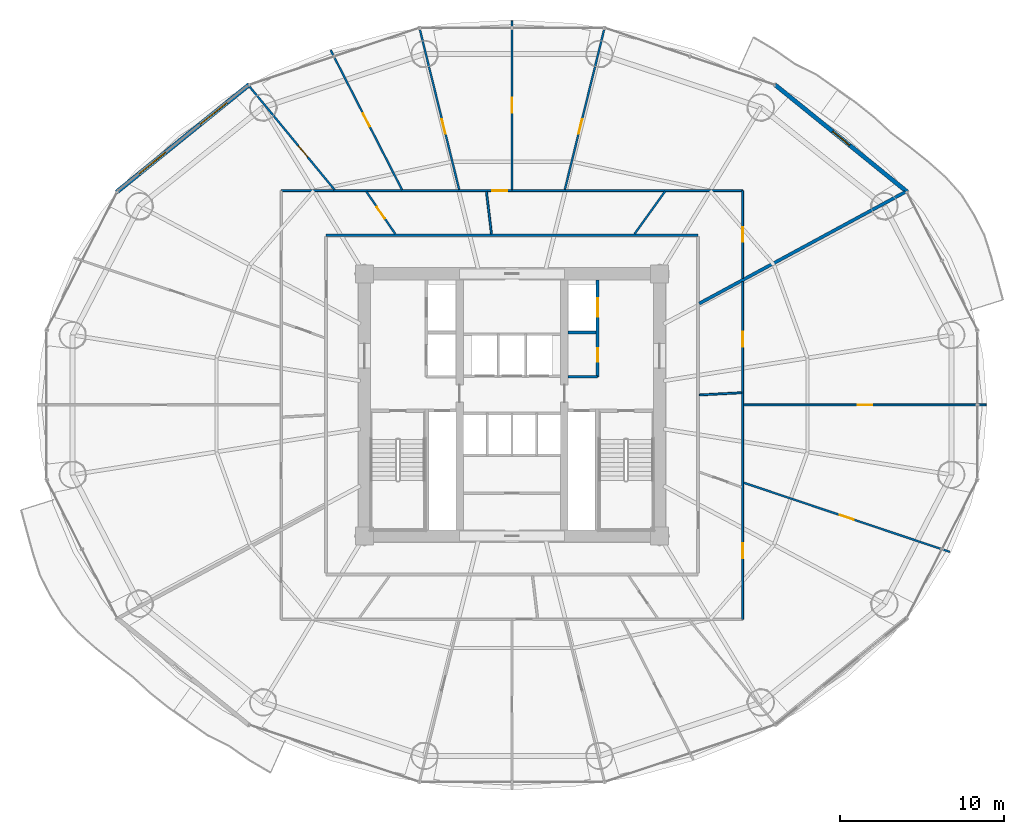
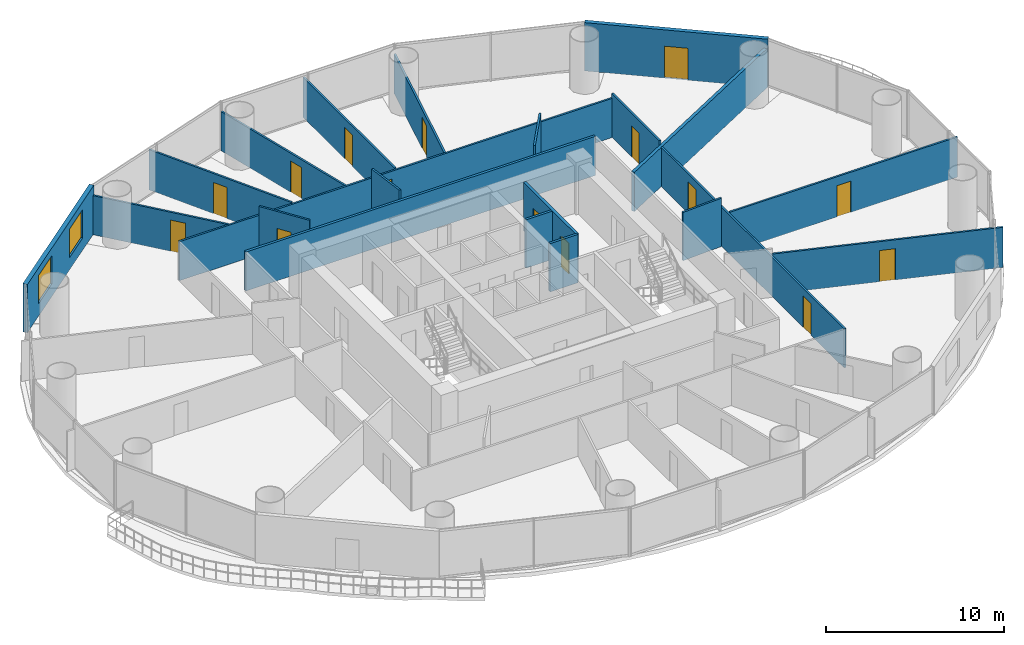
# One storey, part 25 of 30: 21 walls, 15 doors, 2 windows, 17 openings.
"""IFC4 building model written with IfcOpenShell, lengths in metres."""

from ifc_helpers import new_model, si_unit, direction, frame, frame_2d, origin, place, context, subcontext, project, spatial, rectangle, extrude, source, transform, mapped, material, layer, layer_set, type_object, element, fill, save


model = new_model("IFC4")

# Units and contexts
model_context = context("Model", 3, precision=1e-05, world=origin(), true_north=direction((-0.2419218956, 0.970295726276)))
body_context = subcontext(model_context, "Body", "Model", "MODEL_VIEW")
ifc_project = project(units=[si_unit("LENGTHUNIT", "METRE"), si_unit("AREAUNIT", "SQUARE_METRE"), si_unit("VOLUMEUNIT", "CUBIC_METRE"), si_unit("PLANEANGLEUNIT", "RADIAN"), si_unit("MASSUNIT", "GRAM", prefix="KILO")], contexts=[model_context])

# Site, building, storey
site_placement = place(None, origin())
site = spatial("IfcSite", under=ifc_project, at=site_placement, CompositionType="ELEMENT")
building_placement = place(site_placement, origin())
building = spatial("IfcBuilding", under=site, at=building_placement, Name="Cobrevalo Terracotta Tower", CompositionType="ELEMENT")
storey_placement = place(building_placement, frame((0.0, 0.0, 60.0)))
storey = spatial("IfcBuildingStorey", under=building, at=storey_placement, Name="L15", CompositionType="ELEMENT", Elevation=60.0)

# Walls
ifc_material_1 = material(Name="Gypsum board on steel stud", Category="steel")
ifc_layer_1 = layer(ifc_material_1, 0.159912109375)
ifc_layer_set_1 = layer_set([ifc_layer_1], Name="Gypsum board on steel stud")
wall_type_1 = type_object("IfcWallType", Name="Fire-rated corridor acoustic partition wall 160 mm", PredefinedType="PARTITIONING", material=ifc_layer_set_1)
wall_1_placement = place(storey_placement, frame((41.425048828125, 31.219970703125, 0.0), z_axis=(0.0, 0.0, 1.0), x_axis=(1.0, 0.0, 0.0)))
element("IfcWall", 1, at=wall_1_placement, inside=storey, type_object=wall_type_1, Name="L15 interior partition IW-L15-FF2-M", PredefinedType="PARTITIONING", context=body_context, shape_type="SweptSolid", body=[
    extrude(rectangle(XDim=1.71484375, YDim=0.159912109375, at=frame_2d((0.857421875, 0.0))), origin(), (0.0, 0.0, 1.0), 3.320068359375),
])
wall_2_placement = place(storey_placement, frame((41.425048828125, 28.52001953125, 0.0), z_axis=(0.0, 0.0, 1.0), x_axis=(1.0, 0.0, 0.0)))
element("IfcWall", 2, at=wall_2_placement, inside=storey, type_object=wall_type_1, Name="L15 interior partition IW-L15-FF2-S", PredefinedType="PARTITIONING", context=body_context, shape_type="SweptSolid", body=[
    extrude(rectangle(XDim=1.804931640625, YDim=0.159912109375, at=frame_2d((0.90234375, 0.0))), origin(), (0.0, 0.0, 1.0), 3.320068359375),
])
wall_3_placement = place(storey_placement, frame((26.64501953125, 37.155029296875, 0.0), z_axis=(0.0, 0.0, 1.0), x_axis=(1.0, 0.0, 0.0)))
element("IfcWall", 3, at=wall_3_placement, inside=storey, type_object=wall_type_1, Name="L15 interior partition IW-L15-COR-N", PredefinedType="PARTITIONING", context=body_context, shape_type="SweptSolid", body=[
    extrude(rectangle(XDim=22.7099609375, YDim=0.159912109375, at=frame_2d((11.35498046875, 0.0))), origin(), (0.0, 0.0, 1.0), 2.68798828125),
])

# Wall, openings, doors
ifc_layer_2 = layer(ifc_material_1, 0.179931640625)
ifc_layer_set_2 = layer_set([ifc_layer_2], Name="Gypsum board on steel stud")
wall_type_2 = type_object("IfcWallType", Name="Fire-rated shaft & lobby acoustic partition wall 180 mm", PredefinedType="PARTITIONING", material=ifc_layer_set_2)
wall_4_placement = place(storey_placement, frame((43.22998046875, 28.52001953125, 0.0), z_axis=(0.0, 0.0, 1.0), x_axis=(0.0, 1.0, 0.0)))
wall_4 = element("IfcWall", 4, at=wall_4_placement, inside=storey, type_object=wall_type_2, Name="L15 interior partition IW-L15-FF2-E", PredefinedType="PARTITIONING", context=body_context, shape_type="SweptSolid", body=[
    extrude(rectangle(XDim=5.905029296875, YDim=0.179931640625, at=frame_2d((2.95263671875, 0.0))), origin(), (0.0, 0.0, 1.0), 3.320068359375),
])
opening_1_placement = place(wall_4_placement, frame((0.905029296875, 0.0, 0.0)))
opening_1 = element("IfcOpeningElement", 5, at=opening_1_placement, cuts=wall_4, Name="Opening ID-22", PredefinedType="OPENING", context=body_context, shape_type="SweptSolid", body=[
    extrude(rectangle(XDim=0.85009765625, YDim=2.10009765625, at=frame_2d((0.425048828125, 1.050048828125))), frame((0.0, 0.10009765625, 0.0), z_axis=(0.0, -1.0, 0.0), x_axis=(1.0, 0.0, 0.0)), (0.0, 0.0, 1.0), 0.199951171875),
])
opening_2_placement = place(wall_4_placement, frame((3.655029296875, 0.0, 0.0)))
opening_2 = element("IfcOpeningElement", 6, at=opening_2_placement, cuts=wall_4, Name="Opening LD-02", PredefinedType="OPENING", context=body_context, shape_type="SweptSolid", body=[
    extrude(rectangle(XDim=1.14990234375, YDim=2.199951171875, at=frame_2d((0.574951171875, 1.10009765625))), frame((0.0, 0.10009765625, 0.0), z_axis=(0.0, -1.0, 0.0), x_axis=(1.0, 0.0, 0.0)), (0.0, 0.0, 1.0), 0.199951171875),
])
ifc_material_2 = material(Name="Powder-coated steel", Category="steel")
door_type_1 = type_object("IfcDoorType", Name="Riser shaft & meter closet fire access door 850x2100 EI 60", OperationType="NOTDEFINED", PredefinedType="DOOR", material=ifc_material_2)
shared_shape_1 = source(origin(), body_context, "Body", "SweptSolid", [
    extrude(rectangle(XDim=0.85009765625, YDim=2.10009765625, at=frame_2d((0.425048828125, 1.050048828125))), frame((0.0, 0.02490234375, 0.0), z_axis=(0.0, -1.0, 0.0), x_axis=(1.0, 0.0, 0.0)), (0.0, 0.0, 1.0), 0.050048828125),
])
door_1_placement = place(opening_1_placement, frame((0.85009765625, 0.0, 0.0), z_axis=(0.0, 0.0, 1.0), x_axis=(-1.0, 0.0, 0.0)))
door_1 = element("IfcDoor", 7, at=door_1_placement, inside=storey, type_object=door_type_1, Name="L15 housekeeping store door", OperationType="SINGLE_SWING_RIGHT", OverallHeight=2.10009765625, OverallWidth=0.85009765625, PredefinedType="DOOR", context=body_context, shape_type="MappedRepresentation", body=[
    mapped(shared_shape_1, transform((0.0, 0.0, 0.0), scale=1.0)),
])
fill(opening_1, door_1)
ifc_material_3 = material(Name="Brushed stainless steel", Category="steel")
door_type_2 = type_object("IfcDoorType", Name="Firefighting lift landing bi-parting sliding door 1150x2200 EI 120", OperationType="DOUBLE_DOOR_SLIDING", PredefinedType="DOOR", material=ifc_material_3)
shared_shape_2 = source(origin(), body_context, "Body", "SweptSolid", [
    extrude(rectangle(XDim=1.14990234375, YDim=2.199951171875, at=frame_2d((0.574951171875, 1.10009765625))), frame((0.0, 0.02490234375, 0.0), z_axis=(0.0, -1.0, 0.0), x_axis=(1.0, 0.0, 0.0)), (0.0, 0.0, 1.0), 0.050048828125),
])
door_2_placement = place(opening_2_placement, origin())
door_2 = element("IfcDoor", 8, at=door_2_placement, inside=storey, type_object=door_type_2, Name="L15 lift landing door FF-2", OperationType="DOUBLE_DOOR_SLIDING", OverallHeight=2.199951171875, OverallWidth=1.14990234375, PredefinedType="DOOR", context=body_context, shape_type="MappedRepresentation", body=[
    mapped(shared_shape_2, transform((0.0, 0.0, 0.0), scale=1.0)),
])
fill(opening_2, door_2)

# Wall
ifc_material_4 = material(Name="Autoclaved aerated concrete block", Category="concrete")
ifc_layer_3 = layer(ifc_material_4, 0.199951171875)
ifc_layer_set_3 = layer_set([ifc_layer_3], Name="Autoclaved aerated concrete block")
wall_type_3 = type_object("IfcWallType", Name="Fire-rated stair, shaft & demising masonry wall 200 mm", PredefinedType="PARTITIONING", material=ifc_layer_set_3)
wall_5_placement = place(storey_placement, frame((49.43505859375, 32.991455078125, 0.0), z_axis=(0.0, 0.0, 1.0), x_axis=(0.879369737803, 0.476139542819, 0.0)))
element("IfcWall", 9, at=wall_5_placement, inside=storey, type_object=wall_type_3, Name="L15 interior partition IW-L15-DEM-1", PredefinedType="PARTITIONING", context=body_context, shape_type="SweptSolid", body=[
    extrude(rectangle(XDim=14.294921875, YDim=0.199951171875, at=frame_2d((7.1474609375, 0.0))), origin(), (0.0, 0.0, 1.0), 2.68798828125),
])

# Wall, openings, windows
ifc_layer_4 = layer(ifc_material_4, 0.280029296875)
ifc_layer_set_4 = layer_set([ifc_layer_4], Name="Autoclaved aerated concrete block")
wall_type_4 = type_object("IfcWallType", Name="Insulated tower spandrel & pier wall 280 mm with terracotta rainscreen", PredefinedType="SOLIDWALL", material=ifc_layer_set_4)
wall_6_placement = place(storey_placement, frame((21.96728515625, 46.364990234375, 0.0), z_axis=(0.0, 0.0, 1.0), x_axis=(-0.777005352078, -0.62949398952, 0.0)))
wall_6 = element("IfcWall", 10, at=wall_6_placement, inside=storey, type_object=wall_type_4, Name="L15 terracotta rainscreen pier wall S06", PredefinedType="SOLIDWALL", context=body_context, shape_type="SweptSolid", body=[
    extrude(rectangle(XDim=10.44677734375, YDim=0.280029296875, at=frame_2d((5.223388671875, 0.0))), origin(), (0.0, 0.0, 1.0), 3.320068359375),
])
opening_3_placement = place(wall_6_placement, frame((1.7705078125, 0.0, 0.85009765625)))
opening_3 = element("IfcOpeningElement", 11, at=opening_3_placement, cuts=wall_6, Name="Opening WN-10", PredefinedType="OPENING", context=body_context, shape_type="SweptSolid", body=[
    extrude(rectangle(XDim=2.10009765625, YDim=1.949951171875, at=frame_2d((1.050048828125, 0.97509765625))), frame((0.0, 0.14990234375, 0.0), z_axis=(0.0, -1.0, 0.0), x_axis=(1.0, 0.0, 0.0)), (0.0, 0.0, 1.0), 0.300048828125),
])
opening_4_placement = place(wall_6_placement, frame((6.576171875, 0.0, 0.85009765625)))
opening_4 = element("IfcOpeningElement", 12, at=opening_4_placement, cuts=wall_6, Name="Opening WN-10", PredefinedType="OPENING", context=body_context, shape_type="SweptSolid", body=[
    extrude(rectangle(XDim=2.10009765625, YDim=1.949951171875, at=frame_2d((1.050048828125, 0.97509765625))), frame((0.0, 0.14990234375, 0.0), z_axis=(0.0, -1.0, 0.0), x_axis=(1.0, 0.0, 0.0)), (0.0, 0.0, 1.0), 0.300048828125),
])
ifc_material_5 = material(Name="Solar-control low-E double glazing", Category="glass")
window_type = type_object("IfcWindowType", Name="Wide panoramic low-E aluminium window 2100x1950", PartitioningType="SINGLE_PANEL", PredefinedType="WINDOW", material=ifc_material_5)
shared_shape_3 = source(origin(), body_context, "Body", "SweptSolid", [
    extrude(rectangle(XDim=2.10009765625, YDim=1.949951171875, at=frame_2d((1.050048828125, 0.97509765625))), frame((0.0, 0.030029296875, 0.0), z_axis=(0.0, -1.0, 0.0), x_axis=(1.0, 0.0, 0.0)), (0.0, 0.0, 1.0), 0.06005859375),
])
window_1_placement = place(opening_3_placement, origin())
window_1 = element("IfcWindow", 13, at=window_1_placement, inside=storey, type_object=window_type, Name="L15 suite window S06A", OverallHeight=1.949951171875, OverallWidth=2.10009765625, PartitioningType="SINGLE_PANEL", PredefinedType="WINDOW", context=body_context, shape_type="MappedRepresentation", body=[
    mapped(shared_shape_3, transform((0.0, 0.0, 0.0), scale=1.0)),
])
fill(opening_3, window_1)
window_2_placement = place(opening_4_placement, origin())
window_2 = element("IfcWindow", 14, at=window_2_placement, inside=storey, type_object=window_type, Name="L15 suite window S06B", OverallHeight=1.949951171875, OverallWidth=2.10009765625, PartitioningType="SINGLE_PANEL", PredefinedType="WINDOW", context=body_context, shape_type="MappedRepresentation", body=[
    mapped(shared_shape_3, transform((0.0, 0.0, 0.0), scale=1.0)),
])
fill(opening_4, window_2)

# Wall, opening, door
ifc_layer_5 = layer(ifc_material_4, 0.260009765625)
ifc_layer_set_5 = layer_set([ifc_layer_5], Name="Autoclaved aerated concrete block")
wall_type_5 = type_object("IfcWallType", Name="Recessed balcony loggia insulated exterior wall 260 mm", PredefinedType="SOLIDWALL", material=ifc_layer_set_5)
wall_7_placement = place(storey_placement, frame((62.14990234375, 39.788818359375, 0.0), z_axis=(0.0, 0.0, 1.0), x_axis=(-0.777005352078, 0.62949398952, 0.0)))
wall_7 = element("IfcWall", 15, at=wall_7_placement, inside=storey, type_object=wall_type_5, Name="L15 balcony loggia wall S02", PredefinedType="SOLIDWALL", context=body_context, shape_type="SweptSolid", body=[
    extrude(rectangle(XDim=10.44677734375, YDim=0.260009765625, at=frame_2d((5.223388671875, 0.0))), origin(), (0.0, 0.0, 1.0), 3.320068359375),
])
opening_5_placement = place(wall_7_placement, frame((4.54833984375, 0.0, 0.0)))
opening_5 = element("IfcOpeningElement", 16, at=opening_5_placement, cuts=wall_7, Name="Opening ED-05", PredefinedType="OPENING", context=body_context, shape_type="SweptSolid", body=[
    extrude(rectangle(XDim=1.35009765625, YDim=2.199951171875, at=frame_2d((0.675048828125, 1.10009765625))), frame((0.0, 0.14013671875, 0.0), z_axis=(0.0, -1.0, 0.0), x_axis=(1.0, 0.0, 0.0)), (0.0, 0.0, 1.0), 0.280029296875),
])
ifc_material_6 = material(Name="Anodized aluminium and laminated glass", Category="aluminium")
door_type_3 = type_object("IfcDoorType", Name="Suite balcony acoustic glazed terrace door 1350x2200", OperationType="NOTDEFINED", PredefinedType="DOOR", material=ifc_material_6)
shared_shape_4 = source(origin(), body_context, "Body", "SweptSolid", [
    extrude(rectangle(XDim=1.35009765625, YDim=2.199951171875, at=frame_2d((0.675048828125, 1.10009765625))), frame((0.0, 0.02490234375, 0.0), z_axis=(0.0, -1.0, 0.0), x_axis=(1.0, 0.0, 0.0)), (0.0, 0.0, 1.0), 0.050048828125),
])
door_3_placement = place(opening_5_placement, frame((1.35009765625, 0.0, 0.0), z_axis=(0.0, 0.0, 1.0), x_axis=(-1.0, 0.0, 0.0)))
door_3 = element("IfcDoor", 17, at=door_3_placement, inside=storey, type_object=door_type_3, Name="L15 glazed balcony terrace door 1", OperationType="SINGLE_SWING_LEFT", OverallHeight=2.199951171875, OverallWidth=1.35009765625, PredefinedType="DOOR", context=body_context, shape_type="MappedRepresentation", body=[
    mapped(shared_shape_4, transform((0.0, 0.0, 0.0), scale=1.0)),
])
fill(opening_5, door_3)

ifc_layer_6 = layer(ifc_material_1, 0.1201171875)
ifc_layer_set_6 = layer_set([ifc_layer_6], Name="Gypsum board on steel stud")
wall_type_6 = type_object("IfcWallType", Name="Residential internal acoustic stud partition 120 mm", PredefinedType="PARTITIONING", material=ifc_layer_set_6)
wall_8_placement = place(storey_placement, frame((23.9150390625, 39.885009765625, 0.0), z_axis=(0.0, 0.0, 1.0), x_axis=(1.0, 0.0, 0.0)))
wall_8 = element("IfcWall", 18, at=wall_8_placement, inside=storey, type_object=wall_type_6, Name="L15 interior partition IW-L15-U1-RING1_0", PredefinedType="PARTITIONING", context=body_context, shape_type="SweptSolid", body=[
    extrude(rectangle(XDim=28.169921875, YDim=0.1201171875, at=frame_2d((14.0849609375, 0.0))), origin(), (0.0, 0.0, 1.0), 2.68798828125),
])
opening_6_placement = place(wall_8_placement, frame((12.890625, 0.0, 0.0)))
opening_6 = element("IfcOpeningElement", 19, at=opening_6_placement, cuts=wall_8, Name="Opening ID-12", PredefinedType="OPENING", context=body_context, shape_type="SweptSolid", body=[
    extrude(rectangle(XDim=0.89990234375, YDim=2.14990234375, at=frame_2d((0.449951171875, 1.074951171875))), frame((0.0, 0.070068359375, 0.0), z_axis=(0.0, -1.0, 0.0), x_axis=(1.0, 0.0, 0.0)), (0.0, 0.0, 1.0), 0.14013671875),
])
ifc_material_7 = material(Name="Engineered timber", Category="wood")
door_type_4 = type_object("IfcDoorType", Name="Internal residence & suite timber door 900x2150", OperationType="NOTDEFINED", PredefinedType="DOOR", material=ifc_material_7)
shared_shape_5 = source(origin(), body_context, "Body", "SweptSolid", [
    extrude(rectangle(XDim=0.89990234375, YDim=2.14990234375, at=frame_2d((0.449951171875, 1.074951171875))), frame((0.0, 0.02490234375, 0.0), z_axis=(0.0, -1.0, 0.0), x_axis=(1.0, 0.0, 0.0)), (0.0, 0.0, 1.0), 0.050048828125),
])
door_4_placement = place(opening_6_placement, frame((0.89990234375, 0.0, 0.0), z_axis=(0.0, 0.0, 1.0), x_axis=(-1.0, 0.0, 0.0)))
door_4 = element("IfcDoor", 20, at=door_4_placement, inside=storey, type_object=door_type_4, Name="Flat L15A Home Office Study internal door", OperationType="SINGLE_SWING_LEFT", OverallHeight=2.14990234375, OverallWidth=0.89990234375, PredefinedType="DOOR", context=body_context, shape_type="MappedRepresentation", body=[
    mapped(shared_shape_5, transform((0.0, 0.0, 0.0), scale=1.0)),
])
fill(opening_6, door_4)

wall_9_placement = place(storey_placement, frame((52.0849609375, 39.885009765625, 0.0), z_axis=(0.0, 0.0, 1.0), x_axis=(0.0, -1.0, 0.0)))
wall_9 = element("IfcWall", 21, at=wall_9_placement, inside=storey, type_object=wall_type_6, Name="L15 interior partition IW-L15-U1-RING2_0", PredefinedType="PARTITIONING", context=body_context, shape_type="SweptSolid", body=[
    extrude(rectangle(XDim=5.356689453125, YDim=0.1201171875, at=frame_2d((2.67822265625, 0.0))), origin(), (0.0, 0.0, 1.0), 2.9990234375),
])
opening_7_placement = place(wall_9_placement, frame((2.248291015625, 0.0, 0.0)))
opening_7 = element("IfcOpeningElement", 22, at=opening_7_placement, cuts=wall_9, Name="Opening ID-19", PredefinedType="OPENING", context=body_context, shape_type="SweptSolid", body=[
    extrude(rectangle(XDim=0.860107421875, YDim=2.14990234375, at=frame_2d((0.43017578125, 1.074951171875))), frame((0.0, 0.070068359375, 0.0), z_axis=(0.0, -1.0, 0.0), x_axis=(1.0, 0.0, 0.0)), (0.0, 0.0, 1.0), 0.14013671875),
])
ifc_material_8 = material(Name="Moisture-sealed timber", Category="wood")
door_type_5 = type_object("IfcDoorType", Name="Suite bathroom internal timber door 860x2150", OperationType="NOTDEFINED", PredefinedType="DOOR", material=ifc_material_8)
shared_shape_6 = source(origin(), body_context, "Body", "SweptSolid", [
    extrude(rectangle(XDim=0.860107421875, YDim=2.14990234375, at=frame_2d((0.43017578125, 1.074951171875))), frame((0.0, 0.02490234375, 0.0), z_axis=(0.0, -1.0, 0.0), x_axis=(1.0, 0.0, 0.0)), (0.0, 0.0, 1.0), 0.050048828125),
])
door_5_placement = place(opening_7_placement, frame((0.860107421875, 0.0, 0.0), z_axis=(0.0, 0.0, 1.0), x_axis=(-1.0, 0.0, 0.0)))
door_5 = element("IfcDoor", 23, at=door_5_placement, inside=storey, type_object=door_type_5, Name="Flat L15A Guest Bathroom internal door", OperationType="SINGLE_SWING_RIGHT", OverallHeight=2.14990234375, OverallWidth=0.860107421875, PredefinedType="DOOR", context=body_context, shape_type="MappedRepresentation", body=[
    mapped(shared_shape_6, transform((0.0, 0.0, 0.0), scale=1.0)),
])
fill(opening_7, door_5)

wall_10_placement = place(storey_placement, frame((41.226806640625, 39.9453125, 0.0), z_axis=(0.0, 0.0, 1.0), x_axis=(0.238375747469, 0.97117300365, 0.0)))
wall_10 = element("IfcWall", 24, at=wall_10_placement, inside=storey, type_object=wall_type_6, Name="L15 interior partition IW-L15-U1-ORAD1", PredefinedType="PARTITIONING", context=body_context, shape_type="SweptSolid", body=[
    extrude(rectangle(XDim=10.086181640625, YDim=0.1201171875, at=frame_2d((5.04296875, 0.0))), origin(), (0.0, 0.0, 1.0), 2.68798828125),
])
opening_8_placement = place(wall_10_placement, frame((3.51806640625, 0.0, 0.0)))
opening_8 = element("IfcOpeningElement", 25, at=opening_8_placement, cuts=wall_10, Name="Opening ID-12", PredefinedType="OPENING", context=body_context, shape_type="SweptSolid", body=[
    extrude(rectangle(XDim=0.89990234375, YDim=2.14990234375, at=frame_2d((0.449951171875, 1.074951171875))), frame((0.0, 0.070068359375, 0.0), z_axis=(0.0, -1.0, 0.0), x_axis=(1.0, 0.0, 0.0)), (0.0, 0.0, 1.0), 0.14013671875),
])
door_6_placement = place(opening_8_placement, frame((0.89990234375, 0.0, 0.0), z_axis=(0.0, 0.0, 1.0), x_axis=(-1.0, 0.0, 0.0)))
door_6 = element("IfcDoor", 26, at=door_6_placement, inside=storey, type_object=door_type_4, Name="Flat L15A Penthouse Living and Dining Room internal door", OperationType="SINGLE_SWING_LEFT", OverallHeight=2.14990234375, OverallWidth=0.89990234375, PredefinedType="DOOR", context=body_context, shape_type="MappedRepresentation", body=[
    mapped(shared_shape_5, transform((0.0, 0.0, 0.0), scale=1.0)),
])
fill(opening_8, door_6)

wall_11_placement = place(storey_placement, frame((38.0, 39.947021484375, 0.0), z_axis=(0.0, 0.0, 1.0), x_axis=(0.0, 1.0, 0.0)))
wall_11 = element("IfcWall", 27, at=wall_11_placement, inside=storey, type_object=wall_type_6, Name="L15 interior partition IW-L15-U1-ORAD2M1", PredefinedType="PARTITIONING", context=body_context, shape_type="SweptSolid", body=[
    extrude(rectangle(XDim=10.29296875, YDim=0.1201171875, at=frame_2d((5.146484375, 0.0))), origin(), (0.0, 0.0, 1.0), 2.761962890625),
])
opening_9_placement = place(wall_11_placement, frame((4.696533203125, 0.0, 0.0)))
opening_9 = element("IfcOpeningElement", 28, at=opening_9_placement, cuts=wall_11, Name="Opening ID-12", PredefinedType="OPENING", context=body_context, shape_type="SweptSolid", body=[
    extrude(rectangle(XDim=0.89990234375, YDim=2.14990234375, at=frame_2d((0.449951171875, 1.074951171875))), frame((0.0, 0.070068359375, 0.0), z_axis=(0.0, -1.0, 0.0), x_axis=(1.0, 0.0, 0.0)), (0.0, 0.0, 1.0), 0.14013671875),
])
door_7_placement = place(opening_9_placement, frame((0.89990234375, 0.0, 0.0), z_axis=(0.0, 0.0, 1.0), x_axis=(-1.0, 0.0, 0.0)))
door_7 = element("IfcDoor", 29, at=door_7_placement, inside=storey, type_object=door_type_4, Name="Flat L15A Master Bedroom internal door", OperationType="SINGLE_SWING_RIGHT", OverallHeight=2.14990234375, OverallWidth=0.89990234375, PredefinedType="DOOR", context=body_context, shape_type="MappedRepresentation", body=[
    mapped(shared_shape_5, transform((0.0, 0.0, 0.0), scale=1.0)),
])
fill(opening_9, door_7)

wall_12_placement = place(storey_placement, frame((34.773193359375, 39.9453125, 0.0), z_axis=(0.0, 0.0, 1.0), x_axis=(-0.238375747469, 0.97117300365, 0.0)))
wall_12 = element("IfcWall", 30, at=wall_12_placement, inside=storey, type_object=wall_type_6, Name="L15 interior partition IW-L15-U1-ORAD2", PredefinedType="PARTITIONING", context=body_context, shape_type="SweptSolid", body=[
    extrude(rectangle(XDim=10.086181640625, YDim=0.1201171875, at=frame_2d((5.04296875, 0.0))), origin(), (0.0, 0.0, 1.0), 2.68798828125),
])
opening_10_placement = place(wall_12_placement, frame((3.5185546875, 0.0, 0.0)))
opening_10 = element("IfcOpeningElement", 31, at=opening_10_placement, cuts=wall_12, Name="Opening ID-12", PredefinedType="OPENING", context=body_context, shape_type="SweptSolid", body=[
    extrude(rectangle(XDim=0.89990234375, YDim=2.14990234375, at=frame_2d((0.449951171875, 1.074951171875))), frame((0.0, 0.070068359375, 0.0), z_axis=(0.0, -1.0, 0.0), x_axis=(1.0, 0.0, 0.0)), (0.0, 0.0, 1.0), 0.14013671875),
])
door_8_placement = place(opening_10_placement, frame((0.89990234375, 0.0, 0.0), z_axis=(0.0, 0.0, 1.0), x_axis=(-1.0, 0.0, 0.0)))
door_8 = element("IfcDoor", 32, at=door_8_placement, inside=storey, type_object=door_type_4, Name="Flat L15A Principal Guest Bedroom internal door", OperationType="SINGLE_SWING_RIGHT", OverallHeight=2.14990234375, OverallWidth=0.89990234375, PredefinedType="DOOR", context=body_context, shape_type="MappedRepresentation", body=[
    mapped(shared_shape_5, transform((0.0, 0.0, 0.0), scale=1.0)),
])
fill(opening_10, door_8)

wall_13_placement = place(storey_placement, frame((31.283203125, 39.940185546875, 0.0), z_axis=(0.0, 0.0, 1.0), x_axis=(-0.455131303234, 0.890424335256, 0.0)))
wall_13 = element("IfcWall", 33, at=wall_13_placement, inside=storey, type_object=wall_type_6, Name="L15 interior partition IW-L15-U1-ORAD3M1", PredefinedType="PARTITIONING", context=body_context, shape_type="SweptSolid", body=[
    extrude(rectangle(XDim=9.562255859375, YDim=0.1201171875, at=frame_2d((4.78125, 0.0))), origin(), (0.0, 0.0, 1.0), 2.761962890625),
])
opening_11_placement = place(wall_13_placement, frame((4.3310546875, 0.0, 0.0)))
opening_11 = element("IfcOpeningElement", 34, at=opening_11_placement, cuts=wall_13, Name="Opening ID-12", PredefinedType="OPENING", context=body_context, shape_type="SweptSolid", body=[
    extrude(rectangle(XDim=0.89990234375, YDim=2.14990234375, at=frame_2d((0.449951171875, 1.074951171875))), frame((0.0, 0.070068359375, 0.0), z_axis=(0.0, -1.0, 0.0), x_axis=(1.0, 0.0, 0.0)), (0.0, 0.0, 1.0), 0.14013671875),
])
door_9_placement = place(opening_11_placement, frame((0.89990234375, 0.0, 0.0), z_axis=(0.0, 0.0, 1.0), x_axis=(-1.0, 0.0, 0.0)))
door_9 = element("IfcDoor", 35, at=door_9_placement, inside=storey, type_object=door_type_4, Name="Flat L15A Principal Guest Bedroom internal door", OperationType="SINGLE_SWING_LEFT", OverallHeight=2.14990234375, OverallWidth=0.89990234375, PredefinedType="DOOR", context=body_context, shape_type="MappedRepresentation", body=[
    mapped(shared_shape_5, transform((0.0, 0.0, 0.0), scale=1.0)),
])
fill(opening_11, door_9)

wall_14_placement = place(storey_placement, frame((27.171142578125, 39.932861328125, 0.0), z_axis=(0.0, 0.0, 1.0), x_axis=(-0.636192172227, 0.771530634516, 0.0)))
wall_14 = element("IfcWall", 36, at=wall_14_placement, inside=storey, type_object=wall_type_6, Name="L15 interior partition IW-L15-U1-ORAD3", PredefinedType="PARTITIONING", context=body_context, shape_type="SweptSolid", body=[
    extrude(rectangle(XDim=8.186279296875, YDim=0.1201171875, at=frame_2d((4.09326171875, 0.0))), origin(), (0.0, 0.0, 1.0), 2.68798828125),
])
opening_12_placement = place(wall_14_placement, frame((2.584228515625, 0.0, 0.0)))
opening_12 = element("IfcOpeningElement", 37, at=opening_12_placement, cuts=wall_14, Name="Opening ID-12", PredefinedType="OPENING", context=body_context, shape_type="SweptSolid", body=[
    extrude(rectangle(XDim=0.89990234375, YDim=2.14990234375, at=frame_2d((0.449951171875, 1.074951171875))), frame((0.0, 0.070068359375, 0.0), z_axis=(0.0, -1.0, 0.0), x_axis=(1.0, 0.0, 0.0)), (0.0, 0.0, 1.0), 0.14013671875),
])
door_10_placement = place(opening_12_placement, frame((0.89990234375, 0.0, 0.0), z_axis=(0.0, 0.0, 1.0), x_axis=(-1.0, 0.0, 0.0)))
door_10 = element("IfcDoor", 38, at=door_10_placement, inside=storey, type_object=door_type_4, Name="Flat L15A Principal Guest Bedroom internal door", OperationType="SINGLE_SWING_RIGHT", OverallHeight=2.14990234375, OverallWidth=0.89990234375, PredefinedType="DOOR", context=body_context, shape_type="MappedRepresentation", body=[
    mapped(shared_shape_5, transform((0.0, 0.0, 0.0), scale=1.0)),
])
fill(opening_12, door_10)

# Walls
wall_15_placement = place(storey_placement, frame((45.48095703125, 37.236572265625, 0.0), z_axis=(0.0, 0.0, 1.0), x_axis=(0.582530715463, 0.812808689387, 0.0)))
element("IfcWall", 39, at=wall_15_placement, inside=storey, type_object=wall_type_6, Name="L15 interior partition IW-L15-U1-IRAD1", PredefinedType="PARTITIONING", context=body_context, shape_type="SweptSolid", body=[
    extrude(rectangle(XDim=3.196533203125, YDim=0.1201171875, at=frame_2d((1.59814453125, 0.0))), origin(), (0.0, 0.0, 1.0), 3.320068359375),
])
wall_16_placement = place(storey_placement, frame((36.74853515625, 37.237060546875, 0.0), z_axis=(0.0, 0.0, 1.0), x_axis=(-0.119119351225, 0.992879942472, 0.0)))
element("IfcWall", 40, at=wall_16_placement, inside=storey, type_object=wall_type_6, Name="L15 interior partition IW-L15-U1-IRAD2", PredefinedType="PARTITIONING", context=body_context, shape_type="SweptSolid", body=[
    extrude(rectangle(XDim=2.60498046875, YDim=0.1201171875, at=frame_2d((1.302490234375, 0.0))), origin(), (0.0, 0.0, 1.0), 3.320068359375),
])

# Wall, opening, door
wall_17_placement = place(storey_placement, frame((30.87548828125, 37.236572265625, 0.0), z_axis=(0.0, 0.0, 1.0), x_axis=(-0.563751131022, 0.825944708967, 0.0)))
wall_17 = element("IfcWall", 41, at=wall_17_placement, inside=storey, type_object=wall_type_6, Name="L15 interior partition IW-L15-U1-IRAD3", PredefinedType="PARTITIONING", context=body_context, shape_type="SweptSolid", body=[
    extrude(rectangle(XDim=3.14453125, YDim=0.1201171875, at=frame_2d((1.572265625, 0.0))), origin(), (0.0, 0.0, 1.0), 3.320068359375),
])
opening_13_placement = place(wall_17_placement, frame((1.142333984375, 0.0, 0.0)))
opening_13 = element("IfcOpeningElement", 42, at=opening_13_placement, cuts=wall_17, Name="Opening ID-19", PredefinedType="OPENING", context=body_context, shape_type="SweptSolid", body=[
    extrude(rectangle(XDim=0.860107421875, YDim=2.14990234375, at=frame_2d((0.43017578125, 1.074951171875))), frame((0.0, 0.070068359375, 0.0), z_axis=(0.0, -1.0, 0.0), x_axis=(1.0, 0.0, 0.0)), (0.0, 0.0, 1.0), 0.14013671875),
])
door_11_placement = place(opening_13_placement, frame((0.860107421875, 0.0, 0.0), z_axis=(0.0, 0.0, 1.0), x_axis=(-1.0, 0.0, 0.0)))
door_11 = element("IfcDoor", 43, at=door_11_placement, inside=storey, type_object=door_type_5, Name="Flat L15A Primary Bathroom internal door", OperationType="SINGLE_SWING_RIGHT", OverallHeight=2.14990234375, OverallWidth=0.860107421875, PredefinedType="DOOR", context=body_context, shape_type="MappedRepresentation", body=[
    mapped(shared_shape_6, transform((0.0, 0.0, 0.0), scale=1.0)),
])
fill(opening_13, door_11)

# Wall, openings, doors
wall_18_placement = place(storey_placement, frame((52.0849609375, 34.324462890625, 0.0), z_axis=(0.0, 0.0, 1.0), x_axis=(0.0, -1.0, 0.0)))
wall_18 = element("IfcWall", 44, at=wall_18_placement, inside=storey, type_object=wall_type_6, Name="L15 interior partition IW-L15-U2-RING0_0", PredefinedType="PARTITIONING", context=body_context, shape_type="SweptSolid", body=[
    extrude(rectangle(XDim=20.609375, YDim=0.1201171875, at=frame_2d((10.3046875, 0.0))), origin(), (0.0, 0.0, 1.0), 2.68798828125),
])
opening_14_placement = place(wall_18_placement, frame((15.972412109375, 0.0, 0.0)))
opening_14 = element("IfcOpeningElement", 45, at=opening_14_placement, cuts=wall_18, Name="Opening ID-12", PredefinedType="OPENING", context=body_context, shape_type="SweptSolid", body=[
    extrude(rectangle(XDim=0.89990234375, YDim=2.14990234375, at=frame_2d((0.449951171875, 1.074951171875))), frame((0.0, 0.070068359375, 0.0), z_axis=(0.0, -1.0, 0.0), x_axis=(1.0, 0.0, 0.0)), (0.0, 0.0, 1.0), 0.14013671875),
])
opening_15_placement = place(wall_18_placement, frame((3.058349609375, 0.0, 0.0)))
opening_15 = element("IfcOpeningElement", 46, at=opening_15_placement, cuts=wall_18, Name="Opening ID-12", PredefinedType="OPENING", context=body_context, shape_type="SweptSolid", body=[
    extrude(rectangle(XDim=0.89990234375, YDim=2.14990234375, at=frame_2d((0.449951171875, 1.074951171875))), frame((0.0, 0.070068359375, 0.0), z_axis=(0.0, -1.0, 0.0), x_axis=(1.0, 0.0, 0.0)), (0.0, 0.0, 1.0), 0.14013671875),
])
door_12_placement = place(opening_14_placement, origin())
door_12 = element("IfcDoor", 47, at=door_12_placement, inside=storey, type_object=door_type_4, Name="Flat L15B Penthouse Family Lounge internal door", OperationType="SINGLE_SWING_RIGHT", OverallHeight=2.14990234375, OverallWidth=0.89990234375, PredefinedType="DOOR", context=body_context, shape_type="MappedRepresentation", body=[
    mapped(shared_shape_5, transform((0.0, 0.0, 0.0), scale=1.0)),
])
fill(opening_14, door_12)
door_13_placement = place(opening_15_placement, frame((0.89990234375, 0.0, 0.0), z_axis=(0.0, 0.0, 1.0), x_axis=(-1.0, 0.0, 0.0)))
door_13 = element("IfcDoor", 48, at=door_13_placement, inside=storey, type_object=door_type_4, Name="Flat L15B Utility Closet internal door", OperationType="SINGLE_SWING_LEFT", OverallHeight=2.14990234375, OverallWidth=0.89990234375, PredefinedType="DOOR", context=body_context, shape_type="MappedRepresentation", body=[
    mapped(shared_shape_5, transform((0.0, 0.0, 0.0), scale=1.0)),
])
fill(opening_15, door_13)

# Wall, opening, door
wall_19_placement = place(storey_placement, frame((52.143798828125, 22.052490234375, 0.0), z_axis=(0.0, 0.0, 1.0), x_axis=(0.948023034133, -0.318201707653, 0.0)))
wall_19 = element("IfcWall", 49, at=wall_19_placement, inside=storey, type_object=wall_type_6, Name="L15 interior partition IW-L15-U2-ORAD4", PredefinedType="PARTITIONING", context=body_context, shape_type="SweptSolid", body=[
    extrude(rectangle(XDim=13.27880859375, YDim=0.1201171875, at=frame_2d((6.639404296875, 0.0))), origin(), (0.0, 0.0, 1.0), 2.761962890625),
])
opening_16_placement = place(wall_19_placement, frame((6.189453125, 0.0, 0.0)))
opening_16 = element("IfcOpeningElement", 50, at=opening_16_placement, cuts=wall_19, Name="Opening ID-12", PredefinedType="OPENING", context=body_context, shape_type="SweptSolid", body=[
    extrude(rectangle(XDim=0.89990234375, YDim=2.14990234375, at=frame_2d((0.449951171875, 1.074951171875))), frame((0.0, 0.070068359375, 0.0), z_axis=(0.0, -1.0, 0.0), x_axis=(1.0, 0.0, 0.0)), (0.0, 0.0, 1.0), 0.14013671875),
])
door_14_placement = place(opening_16_placement, origin())
door_14 = element("IfcDoor", 51, at=door_14_placement, inside=storey, type_object=door_type_4, Name="Flat L15B Penthouse Family Lounge internal door", OperationType="SINGLE_SWING_LEFT", OverallHeight=2.14990234375, OverallWidth=0.89990234375, PredefinedType="DOOR", context=body_context, shape_type="MappedRepresentation", body=[
    mapped(shared_shape_5, transform((0.0, 0.0, 0.0), scale=1.0)),
])
fill(opening_16, door_14)

wall_20_placement = place(storey_placement, frame((52.14697265625, 26.800048828125, 0.0), z_axis=(0.0, 0.0, 1.0), x_axis=(1.0, 0.0, 0.0)))
wall_20 = element("IfcWall", 52, at=wall_20_placement, inside=storey, type_object=wall_type_6, Name="L15 interior partition IW-L15-U2-ORAD5", PredefinedType="PARTITIONING", context=body_context, shape_type="SweptSolid", body=[
    extrude(rectangle(XDim=14.79296875, YDim=0.1201171875, at=frame_2d((7.396484375, 0.0))), origin(), (0.0, 0.0, 1.0), 2.761962890625),
])
opening_17_placement = place(wall_20_placement, frame((6.946533203125, 0.0, 0.0)))
opening_17 = element("IfcOpeningElement", 53, at=opening_17_placement, cuts=wall_20, Name="Opening ID-12", PredefinedType="OPENING", context=body_context, shape_type="SweptSolid", body=[
    extrude(rectangle(XDim=0.89990234375, YDim=2.14990234375, at=frame_2d((0.449951171875, 1.074951171875))), frame((0.0, 0.070068359375, 0.0), z_axis=(0.0, -1.0, 0.0), x_axis=(1.0, 0.0, 0.0)), (0.0, 0.0, 1.0), 0.14013671875),
])
door_15_placement = place(opening_17_placement, origin())
door_15 = element("IfcDoor", 54, at=door_15_placement, inside=storey, type_object=door_type_4, Name="Flat L15B Private Cinema Room internal door", OperationType="SINGLE_SWING_RIGHT", OverallHeight=2.14990234375, OverallWidth=0.89990234375, PredefinedType="DOOR", context=body_context, shape_type="MappedRepresentation", body=[
    mapped(shared_shape_5, transform((0.0, 0.0, 0.0), scale=1.0)),
])
fill(opening_17, door_15)

# Wall
wall_21_placement = place(storey_placement, frame((49.43505859375, 27.4072265625, 0.0), z_axis=(0.0, 0.0, 1.0), x_axis=(0.998587742853, 0.053127392413, 0.0)))
element("IfcWall", 55, at=wall_21_placement, inside=storey, type_object=wall_type_6, Name="L15 interior partition IW-L15-U2-IRAD5", PredefinedType="PARTITIONING", context=body_context, shape_type="SweptSolid", body=[
    extrude(rectangle(XDim=2.591796875, YDim=0.1201171875, at=frame_2d((1.2958984375, 0.0))), origin(), (0.0, 0.0, 1.0), 3.320068359375),
])

save(model, "model.ifc")
